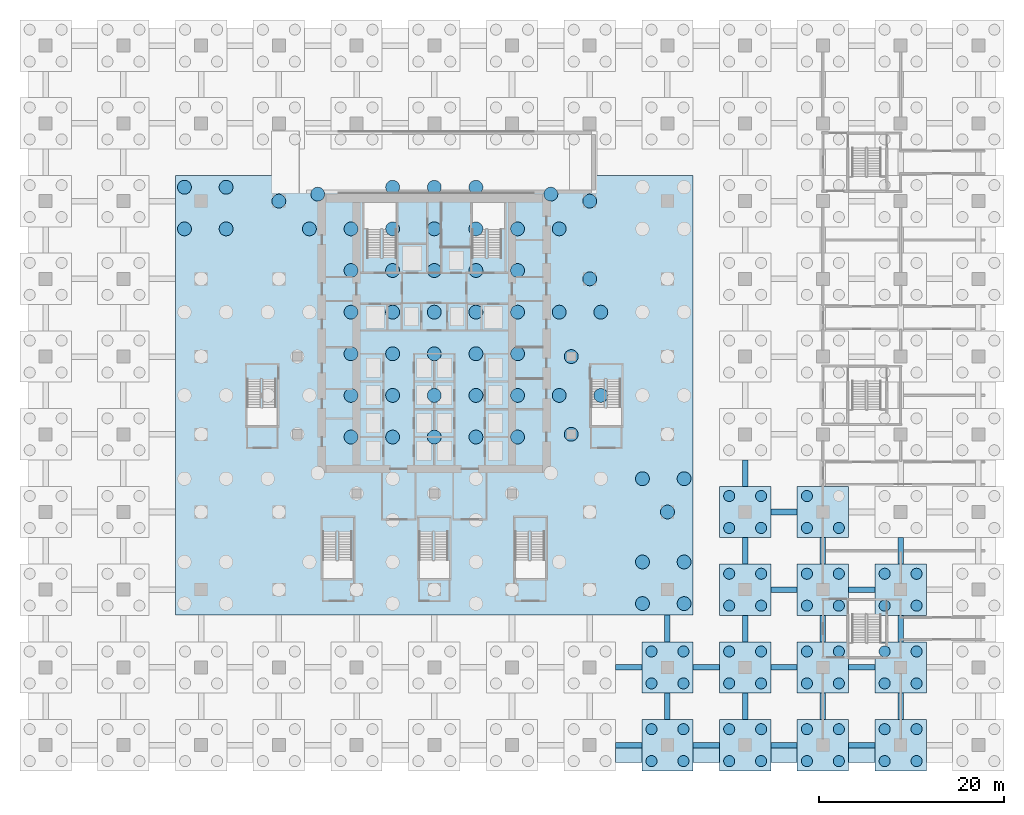
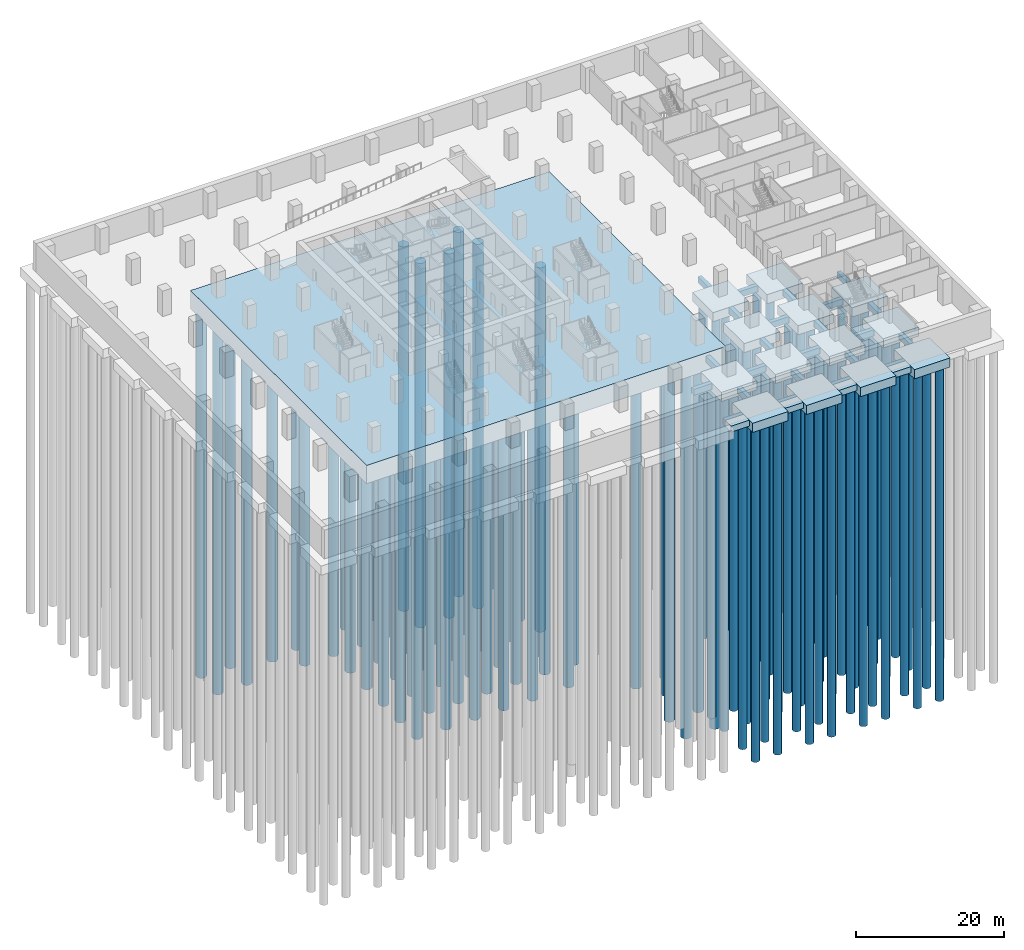
# One storey, part 3 of 22: 108 piles, 41 footings.
"""IFC4 building model written with IfcOpenShell, lengths in metres."""

from ifc_helpers import new_model, si_unit, direction, frame, origin, origin_2d, place, context, subcontext, project, spatial, polyline, circle, outline, extrude, material, layer, layer_set, type_object, element, save


model = new_model("IFC4")

# Units and contexts
model_context = context("Model", 3, precision=1e-05, world=origin(), true_north=direction((0.0, 1.0)))
body_context = subcontext(model_context, "Body", "Model", "MODEL_VIEW")
ifc_project = project(units=[si_unit("LENGTHUNIT", "METRE"), si_unit("AREAUNIT", "SQUARE_METRE"), si_unit("VOLUMEUNIT", "CUBIC_METRE"), si_unit("PLANEANGLEUNIT", "RADIAN"), si_unit("MASSUNIT", "GRAM", prefix="KILO")], contexts=[model_context])

# Site, building, storey
site_placement = place(None, origin())
site = spatial("IfcSite", under=ifc_project, at=site_placement, CompositionType="ELEMENT")
building_placement = place(site_placement, origin())
building = spatial("IfcBuilding", under=site, at=building_placement, Name="Vermilion Ogive Tower", CompositionType="ELEMENT")
storey_placement = place(building_placement, frame((0.0, 0.0, -8.39990234375)))
storey = spatial("IfcBuildingStorey", under=building, at=storey_placement, Name="B2", CompositionType="ELEMENT", Elevation=-8.39990234375)

# Piles
ifc_material_1 = material(Name="Concrete B45", Category="concrete")
pile_type_1 = type_object("IfcPileType", Name="Bored pile PC1 D1200", PredefinedType="BORED", material=ifc_material_1)
for number, where, z_axis, x_axis, name in (
    (1, (23.47509765625, -39.52490234375, -1.900146484375), (0.0, 0.0, -1.0), (1.0, 0.0, 0.0), "Cap pile 044-1"),
    (2, (26.925048828125, -39.52490234375, -1.900146484375), (0.0, 0.0, -1.0), (1.0, 0.0, 0.0), "Cap pile 044-2"),
    (3, (23.47509765625, -36.074951171875, -1.900146484375), (0.0, 0.0, -1.0), (1.0, 0.0, 0.0), "Cap pile 044-3"),
    (4, (26.925048828125, -36.074951171875, -1.900146484375), (0.0, 0.0, -1.0), (1.0, 0.0, 0.0), "Cap pile 044-4"),
    (5, (23.47509765625, -31.125, -1.900146484375), (0.0, 0.0, -1.0), (1.0, 0.0, 0.0), "Cap pile 045-1"),
    (6, (26.925048828125, -31.125, -1.900146484375), (0.0, 0.0, -1.0), (1.0, 0.0, 0.0), "Cap pile 045-2"),
    (7, (23.47509765625, -27.675048828125, -1.900146484375), (0.0, 0.0, -1.0), (1.0, 0.0, 0.0), "Cap pile 045-3"),
    (8, (26.925048828125, -27.675048828125, -1.900146484375), (0.0, 0.0, -1.0), (1.0, 0.0, 0.0), "Cap pile 045-4"),
    (9, (31.875, -39.52490234375, -1.900146484375), (0.0, 0.0, -1.0), (1.0, 0.0, 0.0), "Cap pile 048-1"),
    (10, (35.324951171875, -39.52490234375, -1.900146484375), (0.0, 0.0, -1.0), (1.0, 0.0, 0.0), "Cap pile 048-2"),
    (11, (31.875, -36.074951171875, -1.900146484375), (0.0, 0.0, -1.0), (1.0, 0.0, 0.0), "Cap pile 048-3"),
    (12, (35.324951171875, -36.074951171875, -1.900146484375), (0.0, 0.0, -1.0), (1.0, 0.0, 0.0), "Cap pile 048-4"),
    (13, (31.875, -31.125, -1.900146484375), (0.0, 0.0, -1.0), (1.0, 0.0, 0.0), "Cap pile 049-1"),
    (14, (35.324951171875, -31.125, -1.900146484375), (0.0, 0.0, -1.0), (1.0, 0.0, 0.0), "Cap pile 049-2"),
    (15, (31.875, -27.675048828125, -1.900146484375), (0.0, 0.0, -1.0), (1.0, 0.0, 0.0), "Cap pile 049-3"),
    (16, (35.324951171875, -27.675048828125, -1.900146484375), (0.0, 0.0, -1.0), (1.0, 0.0, 0.0), "Cap pile 049-4"),
    (17, (31.875, -22.72509765625, -1.900146484375), (0.0, 0.0, -1.0), (1.0, 0.0, 0.0), "Cap pile 050-1"),
    (18, (35.324951171875, -22.72509765625, -1.900146484375), (0.0, 0.0, -1.0), (1.0, 0.0, 0.0), "Cap pile 050-2"),
    (19, (31.875, -19.27490234375, -1.900146484375), (0.0, 0.0, -1.0), (1.0, 0.0, 0.0), "Cap pile 050-3"),
    (20, (35.324951171875, -19.27490234375, -1.900146484375), (0.0, 0.0, -1.0), (1.0, 0.0, 0.0), "Cap pile 050-4"),
    (21, (31.875, -14.324951171875, -1.900146484375), (0.0, 0.0, -1.0), (1.0, 0.0, 0.0), "Cap pile 051-1"),
    (22, (35.324951171875, -14.324951171875, -1.900146484375), (0.0, 0.0, -1.0), (1.0, 0.0, 0.0), "Cap pile 051-2"),
    (23, (31.875, -10.875, -1.900146484375), (0.0, 0.0, -1.0), (1.0, 0.0, 0.0), "Cap pile 051-3"),
    (24, (35.324951171875, -10.875, -1.900146484375), (0.0, 0.0, -1.0), (1.0, 0.0, 0.0), "Cap pile 051-4"),
    (25, (40.27490234375, -39.52490234375, -1.900146484375), (0.0, 0.0, -1.0), (1.0, 0.0, 0.0), "Cap pile 058-1"),
    (26, (43.72509765625, -39.52490234375, -1.900146484375), (0.0, 0.0, -1.0), (1.0, 0.0, 0.0), "Cap pile 058-2"),
    (27, (40.27490234375, -36.074951171875, -1.900146484375), (0.0, 0.0, -1.0), (1.0, 0.0, 0.0), "Cap pile 058-3"),
    (28, (43.72509765625, -36.074951171875, -1.900146484375), (0.0, 0.0, -1.0), (1.0, 0.0, 0.0), "Cap pile 058-4"),
    (29, (40.27490234375, -31.125, -1.900146484375), (0.0, 0.0, -1.0), (1.0, 0.0, 0.0), "Cap pile 059-1"),
    (30, (43.72509765625, -31.125, -1.900146484375), (0.0, 0.0, -1.0), (1.0, 0.0, 0.0), "Cap pile 059-2"),
    (31, (40.27490234375, -27.675048828125, -1.900146484375), (0.0, 0.0, -1.0), (1.0, 0.0, 0.0), "Cap pile 059-3"),
    (32, (43.72509765625, -27.675048828125, -1.900146484375), (0.0, 0.0, -1.0), (1.0, 0.0, 0.0), "Cap pile 059-4"),
    (33, (40.27490234375, -22.72509765625, -1.900146484375), (0.0, 0.0, -1.0), (1.0, 0.0, 0.0), "Cap pile 060-1"),
    (34, (43.72509765625, -22.72509765625, -1.900146484375), (0.0, 0.0, -1.0), (1.0, 0.0, 0.0), "Cap pile 060-2"),
    (35, (40.27490234375, -19.27490234375, -1.900146484375), (0.0, 0.0, -1.0), (1.0, 0.0, 0.0), "Cap pile 060-3"),
    (36, (43.72509765625, -19.27490234375, -1.900146484375), (0.0, 0.0, -1.0), (1.0, 0.0, 0.0), "Cap pile 060-4"),
    (37, (40.27490234375, -14.324951171875, -1.900146484375), (0.0, 0.0, -1.0), (1.0, 0.0, 0.0), "Cap pile 061-1"),
    (38, (43.72509765625, -14.324951171875, -1.900146484375), (0.0, 0.0, -1.0), (1.0, 0.0, 0.0), "Cap pile 061-2"),
    (39, (40.27490234375, -10.875, -1.900146484375), (0.0, 0.0, -1.0), (1.0, 0.0, 0.0), "Cap pile 061-3"),
    (40, (48.675048828125, -39.52490234375, -1.900146484375), (0.0, 0.0, -1.0), (1.0, 0.0, 0.0), "Cap pile 068-1"),
    (41, (52.125, -39.52490234375, -1.900146484375), (0.0, 0.0, -1.0), (1.0, 0.0, 0.0), "Cap pile 068-2"),
    (42, (48.675048828125, -36.074951171875, -1.900146484375), (0.0, 0.0, -1.0), (1.0, 0.0, 0.0), "Cap pile 068-3"),
    (43, (52.125, -36.074951171875, -1.900146484375), (0.0, 0.0, -1.0), (1.0, 0.0, 0.0), "Cap pile 068-4"),
    (44, (48.675048828125, -31.125, -1.900146484375), (0.0, 0.0, -1.0), (1.0, 0.0, 0.0), "Cap pile 069-1"),
    (45, (52.125, -31.125, -1.900146484375), (0.0, 0.0, -1.0), (1.0, 0.0, 0.0), "Cap pile 069-2"),
    (46, (48.675048828125, -27.675048828125, -1.900146484375), (0.0, 0.0, -1.0), (1.0, 0.0, 0.0), "Cap pile 069-3"),
    (47, (52.125, -27.675048828125, -1.900146484375), (0.0, 0.0, -1.0), (1.0, 0.0, 0.0), "Cap pile 069-4"),
    (48, (48.675048828125, -22.72509765625, -1.900146484375), (0.0, 0.0, -1.0), (1.0, 0.0, 0.0), "Cap pile 070-1"),
    (49, (52.125, -22.72509765625, -1.900146484375), (0.0, 0.0, -1.0), (1.0, 0.0, 0.0), "Cap pile 070-2"),
    (50, (48.675048828125, -19.27490234375, -1.900146484375), (0.0, 0.0, -1.0), (1.0, 0.0, 0.0), "Cap pile 070-3"),
    (51, (52.125, -19.27490234375, -1.900146484375), (0.0, 0.0, -1.0), (1.0, 0.0, 0.0), "Cap pile 070-4"),
):
    element("IfcPile", number, at=place(storey_placement, frame(where, z_axis=z_axis, x_axis=x_axis)), inside=storey, type_object=pile_type_1, Name=name, PredefinedType="BORED", context=body_context, shape_type="SweptSolid", body=[
        extrude(circle(Radius=0.60009765625, at=origin_2d()), origin(), (0.0, 0.0, 1.0), 55.0),
    ])
ifc_material_2 = material(Name="Concrete B45", Category="concrete")
pile_type_2 = type_object("IfcPileType", Name="Bored pile PR1 D1500", PredefinedType="BORED", material=ifc_material_2)
for number, where, z_axis, x_axis, name in (
    (52, (-27.0, 18.0, -2.900146484375), (0.0, 0.0, -1.0), (1.0, 0.0, 0.0), "Raft pile 006"),
    (53, (-27.0, 22.5, -2.900146484375), (0.0, 0.0, -1.0), (1.0, 0.0, 0.0), "Raft pile 007"),
    (54, (-22.5, 18.0, -2.900146484375), (0.0, 0.0, -1.0), (1.0, 0.0, 0.0), "Raft pile 017"),
    (55, (-22.5, 22.5, -2.900146484375), (0.0, 0.0, -1.0), (1.0, 0.0, 0.0), "Raft pile 018"),
    (56, (-16.800048828125, 21.0, -2.900146484375), (0.0, 0.0, -1.0), (1.0, 0.0, 0.0), "Raft pile 025"),
    (57, (-13.5, 18.0, -2.900146484375), (0.0, 0.0, -1.0), (1.0, 0.0, 0.0), "Raft pile 031"),
    (58, (-12.60009765625, 21.75, -2.900146484375), (0.0, 0.0, -1.0), (1.0, 0.0, 0.0), "Raft pile 033"),
    (59, (-9.0, -4.5, -2.900146484375), (0.0, 0.0, -1.0), (1.0, 0.0, 0.0), "Raft pile 034"),
    (60, (-9.0, 0.0, -2.900146484375), (0.0, 0.0, -1.0), (1.0, 0.0, 0.0), "Raft pile 035"),
    (61, (-9.0, 4.5, -2.900146484375), (0.0, 0.0, -1.0), (1.0, 0.0, 0.0), "Raft pile 036"),
    (62, (-9.0, 9.0, -2.900146484375), (0.0, 0.0, -1.0), (1.0, 0.0, 0.0), "Raft pile 037"),
    (63, (-9.0, 13.5, -2.900146484375), (0.0, 0.0, -1.0), (1.0, 0.0, 0.0), "Raft pile 038"),
    (64, (-9.0, 18.0, -2.900146484375), (0.0, 0.0, -1.0), (1.0, 0.0, 0.0), "Raft pile 039"),
    (65, (-4.5, -4.5, -2.900146484375), (0.0, 0.0, -1.0), (1.0, 0.0, 0.0), "Raft pile 046"),
    (66, (-4.5, 0.0, -2.900146484375), (0.0, 0.0, -1.0), (1.0, 0.0, 0.0), "Raft pile 047"),
    (67, (-4.5, 4.5, -2.900146484375), (0.0, 0.0, -1.0), (1.0, 0.0, 0.0), "Raft pile 048"),
    (68, (-4.5, 9.0, -2.900146484375), (0.0, 0.0, -1.0), (1.0, 0.0, 0.0), "Raft pile 049"),
    (69, (-4.5, 13.5, -2.900146484375), (0.0, 0.0, -1.0), (1.0, 0.0, 0.0), "Raft pile 050"),
    (70, (-4.5, 18.0, -2.900146484375), (0.0, 0.0, -1.0), (1.0, 0.0, 0.0), "Raft pile 051"),
    (71, (-4.5, 22.5, -2.900146484375), (0.0, 0.0, -1.0), (1.0, 0.0, 0.0), "Raft pile 052"),
    (72, (0.0, -4.5, -2.900146484375), (0.0, 0.0, -1.0), (1.0, 0.0, 0.0), "Raft pile 055"),
    (73, (0.0, 0.0, -2.900146484375), (0.0, 0.0, -1.0), (1.0, 0.0, 0.0), "Raft pile 056"),
    (74, (0.0, 4.5, -2.900146484375), (0.0, 0.0, -1.0), (1.0, 0.0, 0.0), "Raft pile 057"),
    (75, (0.0, 9.0, -2.900146484375), (0.0, 0.0, -1.0), (1.0, 0.0, 0.0), "Raft pile 058"),
    (76, (0.0, 13.5, -2.900146484375), (0.0, 0.0, -1.0), (1.0, 0.0, 0.0), "Raft pile 059"),
    (77, (0.0, 18.0, -2.900146484375), (0.0, 0.0, -1.0), (1.0, 0.0, 0.0), "Raft pile 060"),
    (78, (0.0, 22.5, -2.900146484375), (0.0, 0.0, -1.0), (1.0, 0.0, 0.0), "Raft pile 061"),
    (79, (4.5, -4.5, -2.900146484375), (0.0, 0.0, -1.0), (1.0, 0.0, 0.0), "Raft pile 066"),
    (80, (4.5, 0.0, -2.900146484375), (0.0, 0.0, -1.0), (1.0, 0.0, 0.0), "Raft pile 067"),
    (81, (4.5, 4.5, -2.900146484375), (0.0, 0.0, -1.0), (1.0, 0.0, 0.0), "Raft pile 068"),
    (82, (4.5, 9.0, -2.900146484375), (0.0, 0.0, -1.0), (1.0, 0.0, 0.0), "Raft pile 069"),
    (83, (4.5, 13.5, -2.900146484375), (0.0, 0.0, -1.0), (1.0, 0.0, 0.0), "Raft pile 070"),
    (84, (4.5, 18.0, -2.900146484375), (0.0, 0.0, -1.0), (1.0, 0.0, 0.0), "Raft pile 071"),
    (85, (4.5, 22.5, -2.900146484375), (0.0, 0.0, -1.0), (1.0, 0.0, 0.0), "Raft pile 072"),
    (86, (9.0, -4.5, -2.900146484375), (0.0, 0.0, -1.0), (1.0, 0.0, 0.0), "Raft pile 075"),
    (87, (9.0, 0.0, -2.900146484375), (0.0, 0.0, -1.0), (1.0, 0.0, 0.0), "Raft pile 076"),
    (88, (9.0, 4.5, -2.900146484375), (0.0, 0.0, -1.0), (1.0, 0.0, 0.0), "Raft pile 077"),
    (89, (9.0, 9.0, -2.900146484375), (0.0, 0.0, -1.0), (1.0, 0.0, 0.0), "Raft pile 078"),
    (90, (9.0, 13.5, -2.900146484375), (0.0, 0.0, -1.0), (1.0, 0.0, 0.0), "Raft pile 079"),
    (91, (9.0, 18.0, -2.900146484375), (0.0, 0.0, -1.0), (1.0, 0.0, 0.0), "Raft pile 080"),
    (92, (12.60009765625, 21.75, -2.900146484375), (0.0, 0.0, -1.0), (1.0, 0.0, 0.0), "Raft pile 082"),
    (93, (13.5, 0.0, -2.900146484375), (0.0, 0.0, -1.0), (1.0, 0.0, 0.0), "Raft pile 084"),
    (94, (13.5, 9.0, -2.900146484375), (0.0, 0.0, -1.0), (1.0, 0.0, 0.0), "Raft pile 085"),
    (95, (13.5, 18.0, -2.900146484375), (0.0, 0.0, -1.0), (1.0, 0.0, 0.0), "Raft pile 086"),
    (96, (14.800048828125, -4.199951171875, -2.900146484375), (0.0, 0.0, -1.0), (1.0, 0.0, 0.0), "Raft pile 087"),
    (97, (14.800048828125, 4.199951171875, -2.900146484375), (0.0, 0.0, -1.0), (1.0, 0.0, 0.0), "Raft pile 088"),
    (98, (16.800048828125, 12.60009765625, -2.900146484375), (0.0, 0.0, -1.0), (1.0, 0.0, 0.0), "Raft pile 091"),
    (99, (16.800048828125, 21.0, -2.900146484375), (0.0, 0.0, -1.0), (1.0, 0.0, 0.0), "Raft pile 092"),
    (100, (18.0, 0.0, -2.900146484375), (0.0, 0.0, -1.0), (1.0, 0.0, 0.0), "Raft pile 094"),
    (101, (18.0, 9.0, -2.900146484375), (0.0, 0.0, -1.0), (1.0, 0.0, 0.0), "Raft pile 095"),
    (102, (22.5, -22.5, -2.900146484375), (0.0, 0.0, -1.0), (1.0, 0.0, 0.0), "Raft pile 096"),
    (103, (22.5, -18.0, -2.900146484375), (0.0, 0.0, -1.0), (1.0, 0.0, 0.0), "Raft pile 097"),
    (104, (22.5, -9.0, -2.900146484375), (0.0, 0.0, -1.0), (1.0, 0.0, 0.0), "Raft pile 098"),
    (105, (25.199951171875, -12.60009765625, -2.900146484375), (0.0, 0.0, -1.0), (1.0, 0.0, 0.0), "Raft pile 103"),
    (106, (27.0, -22.5, -2.900146484375), (0.0, 0.0, -1.0), (1.0, 0.0, 0.0), "Raft pile 107"),
    (107, (27.0, -18.0, -2.900146484375), (0.0, 0.0, -1.0), (1.0, 0.0, 0.0), "Raft pile 108"),
    (108, (27.0, -9.0, -2.900146484375), (0.0, 0.0, -1.0), (1.0, 0.0, 0.0), "Raft pile 109"),
):
    element("IfcPile", number, at=place(storey_placement, frame(where, z_axis=z_axis, x_axis=x_axis)), inside=storey, type_object=pile_type_2, Name=name, PredefinedType="BORED", context=body_context, shape_type="SweptSolid", body=[
        extrude(circle(Radius=0.75, at=origin_2d()), origin(), (0.0, 0.0, 1.0), 60.0),
    ])

# Footings
ifc_material_3 = material(Name="Concrete B50", Category="concrete")
footing_type_1 = type_object("IfcFootingType", Name="Ground beam GB1", PredefinedType="FOOTING_BEAM", material=ifc_material_3)
footing_1_placement = place(storey_placement, frame((0.0, 0.0, -1.5)))
element("IfcFooting", 109, at=footing_1_placement, inside=storey, type_object=footing_type_1, Name="Ground beam 074", PredefinedType="FOOTING_BEAM", context=body_context, shape_type="SweptSolid", body=[
    extrude(outline(polyline([(22.425048828125, -38.10009765625), (22.425048828125, -37.5), (19.574951171875, -37.5), (19.574951171875, -38.10009765625), (22.425048828125, -38.10009765625)])), origin(), (0.0, 0.0, 1.0), 1.0),
])
footing_2_placement = place(storey_placement, frame((0.0, 0.0, -1.5)))
element("IfcFooting", 110, at=footing_2_placement, inside=storey, type_object=footing_type_1, Name="Ground beam 076", PredefinedType="FOOTING_BEAM", context=body_context, shape_type="SweptSolid", body=[
    extrude(outline(polyline([(22.425048828125, -29.699951171875), (22.425048828125, -29.10009765625), (19.574951171875, -29.10009765625), (19.574951171875, -29.699951171875), (22.425048828125, -29.699951171875)])), origin(), (0.0, 0.0, 1.0), 1.0),
])
footing_3_placement = place(storey_placement, frame((0.0, 0.0, -1.5)))
element("IfcFooting", 111, at=footing_3_placement, inside=storey, type_object=footing_type_1, Name="Ground beam 081", PredefinedType="FOOTING_BEAM", context=body_context, shape_type="SweptSolid", body=[
    extrude(outline(polyline([(30.824951171875, -38.10009765625), (30.824951171875, -37.5), (27.97509765625, -37.5), (27.97509765625, -38.10009765625), (30.824951171875, -38.10009765625)])), origin(), (0.0, 0.0, 1.0), 1.0),
])
footing_4_placement = place(storey_placement, frame((0.0, 0.0, -1.5)))
element("IfcFooting", 112, at=footing_4_placement, inside=storey, type_object=footing_type_1, Name="Ground beam 082", PredefinedType="FOOTING_BEAM", context=body_context, shape_type="SweptSolid", body=[
    extrude(outline(polyline([(25.5, -35.02490234375), (25.5, -32.175048828125), (24.89990234375, -32.175048828125), (24.89990234375, -35.02490234375), (25.5, -35.02490234375)])), origin(), (0.0, 0.0, 1.0), 1.0),
])
footing_5_placement = place(storey_placement, frame((0.0, 0.0, -1.5)))
element("IfcFooting", 113, at=footing_5_placement, inside=storey, type_object=footing_type_1, Name="Ground beam 083", PredefinedType="FOOTING_BEAM", context=body_context, shape_type="SweptSolid", body=[
    extrude(outline(polyline([(30.824951171875, -29.699951171875), (30.824951171875, -29.10009765625), (27.97509765625, -29.10009765625), (27.97509765625, -29.699951171875), (30.824951171875, -29.699951171875)])), origin(), (0.0, 0.0, 1.0), 1.0),
])
footing_6_placement = place(storey_placement, frame((0.0, 0.0, -1.5)))
element("IfcFooting", 114, at=footing_6_placement, inside=storey, type_object=footing_type_1, Name="Ground beam 084", PredefinedType="FOOTING_BEAM", context=body_context, shape_type="SweptSolid", body=[
    extrude(outline(polyline([(25.5, -26.625), (25.5, -23.75), (24.89990234375, -23.75), (24.89990234375, -26.625), (25.5, -26.625)])), origin(), (0.0, 0.0, 1.0), 1.0),
])
footing_7_placement = place(storey_placement, frame((0.0, 0.0, -1.5)))
element("IfcFooting", 115, at=footing_7_placement, inside=storey, type_object=footing_type_1, Name="Ground beam 088", PredefinedType="FOOTING_BEAM", context=body_context, shape_type="SweptSolid", body=[
    extrude(outline(polyline([(39.22509765625, -38.10009765625), (39.22509765625, -37.5), (36.375, -37.5), (36.375, -38.10009765625), (39.22509765625, -38.10009765625)])), origin(), (0.0, 0.0, 1.0), 1.0),
])
footing_8_placement = place(storey_placement, frame((0.0, 0.0, -1.5)))
element("IfcFooting", 116, at=footing_8_placement, inside=storey, type_object=footing_type_1, Name="Ground beam 089", PredefinedType="FOOTING_BEAM", context=body_context, shape_type="SweptSolid", body=[
    extrude(outline(polyline([(33.89990234375, -35.02490234375), (33.89990234375, -32.175048828125), (33.300048828125, -32.175048828125), (33.300048828125, -35.02490234375), (33.89990234375, -35.02490234375)])), origin(), (0.0, 0.0, 1.0), 1.0),
])
footing_9_placement = place(storey_placement, frame((0.0, 0.0, -1.5)))
element("IfcFooting", 117, at=footing_9_placement, inside=storey, type_object=footing_type_1, Name="Ground beam 090", PredefinedType="FOOTING_BEAM", context=body_context, shape_type="SweptSolid", body=[
    extrude(outline(polyline([(39.22509765625, -29.699951171875), (39.22509765625, -29.10009765625), (36.375, -29.10009765625), (36.375, -29.699951171875), (39.22509765625, -29.699951171875)])), origin(), (0.0, 0.0, 1.0), 1.0),
])
footing_10_placement = place(storey_placement, frame((0.0, 0.0, -1.5)))
element("IfcFooting", 118, at=footing_10_placement, inside=storey, type_object=footing_type_1, Name="Ground beam 091", PredefinedType="FOOTING_BEAM", context=body_context, shape_type="SweptSolid", body=[
    extrude(outline(polyline([(33.89990234375, -26.625), (33.89990234375, -23.77490234375), (33.300048828125, -23.77490234375), (33.300048828125, -26.625), (33.89990234375, -26.625)])), origin(), (0.0, 0.0, 1.0), 1.0),
])
footing_11_placement = place(storey_placement, frame((0.0, 0.0, -1.5)))
element("IfcFooting", 119, at=footing_11_placement, inside=storey, type_object=footing_type_1, Name="Ground beam 092", PredefinedType="FOOTING_BEAM", context=body_context, shape_type="SweptSolid", body=[
    extrude(outline(polyline([(39.22509765625, -21.300048828125), (39.22509765625, -20.699951171875), (36.375, -20.699951171875), (36.375, -21.300048828125), (39.22509765625, -21.300048828125)])), origin(), (0.0, 0.0, 1.0), 1.0),
])
footing_12_placement = place(storey_placement, frame((0.0, 0.0, -1.5)))
element("IfcFooting", 120, at=footing_12_placement, inside=storey, type_object=footing_type_1, Name="Ground beam 093", PredefinedType="FOOTING_BEAM", context=body_context, shape_type="SweptSolid", body=[
    extrude(outline(polyline([(33.89990234375, -18.22509765625), (33.89990234375, -15.375), (33.300048828125, -15.375), (33.300048828125, -18.22509765625), (33.89990234375, -18.22509765625)])), origin(), (0.0, 0.0, 1.0), 1.0),
])
footing_13_placement = place(storey_placement, frame((0.0, 0.0, -1.5)))
element("IfcFooting", 121, at=footing_13_placement, inside=storey, type_object=footing_type_1, Name="Ground beam 094", PredefinedType="FOOTING_BEAM", context=body_context, shape_type="SweptSolid", body=[
    extrude(outline(polyline([(39.22509765625, -12.89990234375), (39.22509765625, -12.300048828125), (36.375, -12.300048828125), (36.375, -12.89990234375), (39.22509765625, -12.89990234375)])), origin(), (0.0, 0.0, 1.0), 1.0),
])
footing_14_placement = place(storey_placement, frame((0.0, 0.0, -1.5)))
element("IfcFooting", 122, at=footing_14_placement, inside=storey, type_object=footing_type_1, Name="Ground beam 095", PredefinedType="FOOTING_BEAM", context=body_context, shape_type="SweptSolid", body=[
    extrude(outline(polyline([(33.89990234375, -9.824951171875), (33.89990234375, -6.97509765625), (33.300048828125, -6.97509765625), (33.300048828125, -9.824951171875), (33.89990234375, -9.824951171875)])), origin(), (0.0, 0.0, 1.0), 1.0),
])
footing_15_placement = place(storey_placement, frame((0.0, 0.0, -1.5)))
element("IfcFooting", 123, at=footing_15_placement, inside=storey, type_object=footing_type_1, Name="Ground beam 107", PredefinedType="FOOTING_BEAM", context=body_context, shape_type="SweptSolid", body=[
    extrude(outline(polyline([(47.625, -38.10009765625), (47.625, -37.5), (44.77490234375, -37.5), (44.77490234375, -38.10009765625), (47.625, -38.10009765625)])), origin(), (0.0, 0.0, 1.0), 1.0),
])
footing_16_placement = place(storey_placement, frame((0.0, 0.0, -1.5)))
element("IfcFooting", 124, at=footing_16_placement, inside=storey, type_object=footing_type_1, Name="Ground beam 108", PredefinedType="FOOTING_BEAM", context=body_context, shape_type="SweptSolid", body=[
    extrude(outline(polyline([(42.300048828125, -35.02490234375), (42.300048828125, -32.175048828125), (41.699951171875, -32.175048828125), (41.699951171875, -35.02490234375), (42.300048828125, -35.02490234375)])), origin(), (0.0, 0.0, 1.0), 1.0),
])
footing_17_placement = place(storey_placement, frame((0.0, 0.0, -1.5)))
element("IfcFooting", 125, at=footing_17_placement, inside=storey, type_object=footing_type_1, Name="Ground beam 109", PredefinedType="FOOTING_BEAM", context=body_context, shape_type="SweptSolid", body=[
    extrude(outline(polyline([(47.625, -29.699951171875), (47.625, -29.10009765625), (44.77490234375, -29.10009765625), (44.77490234375, -29.699951171875), (47.625, -29.699951171875)])), origin(), (0.0, 0.0, 1.0), 1.0),
])
footing_18_placement = place(storey_placement, frame((0.0, 0.0, -1.5)))
element("IfcFooting", 126, at=footing_18_placement, inside=storey, type_object=footing_type_1, Name="Ground beam 110", PredefinedType="FOOTING_BEAM", context=body_context, shape_type="SweptSolid", body=[
    extrude(outline(polyline([(42.300048828125, -26.625), (42.300048828125, -23.77490234375), (41.699951171875, -23.77490234375), (41.699951171875, -26.625), (42.300048828125, -26.625)])), origin(), (0.0, 0.0, 1.0), 1.0),
])
footing_19_placement = place(storey_placement, frame((0.0, 0.0, -1.5)))
element("IfcFooting", 127, at=footing_19_placement, inside=storey, type_object=footing_type_1, Name="Ground beam 111", PredefinedType="FOOTING_BEAM", context=body_context, shape_type="SweptSolid", body=[
    extrude(outline(polyline([(47.625, -21.300048828125), (47.625, -20.699951171875), (44.77490234375, -20.699951171875), (44.77490234375, -21.300048828125), (47.625, -21.300048828125)])), origin(), (0.0, 0.0, 1.0), 1.0),
])
footing_20_placement = place(storey_placement, frame((0.0, 0.0, -1.5)))
element("IfcFooting", 128, at=footing_20_placement, inside=storey, type_object=footing_type_1, Name="Ground beam 112", PredefinedType="FOOTING_BEAM", context=body_context, shape_type="SweptSolid", body=[
    extrude(outline(polyline([(42.300048828125, -18.22509765625), (42.300048828125, -15.375), (41.699951171875, -15.375), (41.699951171875, -18.22509765625), (42.300048828125, -18.22509765625)])), origin(), (0.0, 0.0, 1.0), 1.0),
])
footing_21_placement = place(storey_placement, frame((0.0, 0.0, -1.5)))
element("IfcFooting", 129, at=footing_21_placement, inside=storey, type_object=footing_type_1, Name="Ground beam 127", PredefinedType="FOOTING_BEAM", context=body_context, shape_type="SweptSolid", body=[
    extrude(outline(polyline([(50.699951171875, -35.02490234375), (50.699951171875, -32.175048828125), (50.10009765625, -32.175048828125), (50.10009765625, -35.02490234375), (50.699951171875, -35.02490234375)])), origin(), (0.0, 0.0, 1.0), 1.0),
])
footing_22_placement = place(storey_placement, frame((0.0, 0.0, -1.5)))
element("IfcFooting", 130, at=footing_22_placement, inside=storey, type_object=footing_type_1, Name="Ground beam 129", PredefinedType="FOOTING_BEAM", context=body_context, shape_type="SweptSolid", body=[
    extrude(outline(polyline([(50.699951171875, -26.625), (50.699951171875, -23.77490234375), (50.10009765625, -23.77490234375), (50.10009765625, -26.625), (50.699951171875, -26.625)])), origin(), (0.0, 0.0, 1.0), 1.0),
])
footing_23_placement = place(storey_placement, frame((0.0, 0.0, -1.5)))
element("IfcFooting", 131, at=footing_23_placement, inside=storey, type_object=footing_type_1, Name="Ground beam 131", PredefinedType="FOOTING_BEAM", context=body_context, shape_type="SweptSolid", body=[
    extrude(outline(polyline([(50.699951171875, -18.22509765625), (50.699951171875, -15.375), (50.10009765625, -15.375), (50.10009765625, -18.22509765625), (50.699951171875, -18.22509765625)])), origin(), (0.0, 0.0, 1.0), 1.0),
])
ifc_material_4 = material(Name="Concrete B50", Category="concrete")
ifc_layer_1 = layer(ifc_material_4, 1.5)
ifc_layer_set_1 = layer_set([ifc_layer_1], Name="Pile cap PC1")
footing_type_2 = type_object("IfcFootingType", Name="Pile cap PC1", PredefinedType="PILE_CAP", material=ifc_layer_set_1)
footing_24_placement = place(storey_placement, frame((0.0, 0.0, -2.0)))
element("IfcFooting", 132, at=footing_24_placement, inside=storey, type_object=footing_type_2, Name="Pile cap 044", PredefinedType="PILE_CAP", context=body_context, shape_type="SweptSolid", body=[
    extrude(outline(polyline([(22.425048828125, -40.574951171875), (27.97509765625, -40.574951171875), (27.97509765625, -35.02490234375), (22.425048828125, -35.02490234375), (22.425048828125, -40.574951171875)])), origin(), (0.0, 0.0, 1.0), 1.5),
])
footing_25_placement = place(storey_placement, frame((0.0, 0.0, -2.0)))
element("IfcFooting", 133, at=footing_25_placement, inside=storey, type_object=footing_type_2, Name="Pile cap 045", PredefinedType="PILE_CAP", context=body_context, shape_type="SweptSolid", body=[
    extrude(outline(polyline([(22.425048828125, -32.175048828125), (27.97509765625, -32.175048828125), (27.97509765625, -26.625), (22.425048828125, -26.625), (22.425048828125, -32.175048828125)])), origin(), (0.0, 0.0, 1.0), 1.5),
])
footing_26_placement = place(storey_placement, frame((0.0, 0.0, -2.0)))
element("IfcFooting", 134, at=footing_26_placement, inside=storey, type_object=footing_type_2, Name="Pile cap 048", PredefinedType="PILE_CAP", context=body_context, shape_type="SweptSolid", body=[
    extrude(outline(polyline([(30.824951171875, -40.574951171875), (36.375, -40.574951171875), (36.375, -35.02490234375), (30.824951171875, -35.02490234375), (30.824951171875, -40.574951171875)])), origin(), (0.0, 0.0, 1.0), 1.5),
])
footing_27_placement = place(storey_placement, frame((0.0, 0.0, -2.0)))
element("IfcFooting", 135, at=footing_27_placement, inside=storey, type_object=footing_type_2, Name="Pile cap 049", PredefinedType="PILE_CAP", context=body_context, shape_type="SweptSolid", body=[
    extrude(outline(polyline([(30.824951171875, -32.175048828125), (36.375, -32.175048828125), (36.375, -26.625), (30.824951171875, -26.625), (30.824951171875, -32.175048828125)])), origin(), (0.0, 0.0, 1.0), 1.5),
])
footing_28_placement = place(storey_placement, frame((0.0, 0.0, -2.0)))
element("IfcFooting", 136, at=footing_28_placement, inside=storey, type_object=footing_type_2, Name="Pile cap 050", PredefinedType="PILE_CAP", context=body_context, shape_type="SweptSolid", body=[
    extrude(outline(polyline([(30.824951171875, -23.77490234375), (36.375, -23.77490234375), (36.375, -18.22509765625), (30.824951171875, -18.22509765625), (30.824951171875, -23.77490234375)])), origin(), (0.0, 0.0, 1.0), 1.5),
])
footing_29_placement = place(storey_placement, frame((0.0, 0.0, -2.0)))
element("IfcFooting", 137, at=footing_29_placement, inside=storey, type_object=footing_type_2, Name="Pile cap 051", PredefinedType="PILE_CAP", context=body_context, shape_type="SweptSolid", body=[
    extrude(outline(polyline([(30.824951171875, -15.375), (36.375, -15.375), (36.375, -9.824951171875), (30.824951171875, -9.824951171875), (30.824951171875, -15.375)])), origin(), (0.0, 0.0, 1.0), 1.5),
])
footing_30_placement = place(storey_placement, frame((0.0, 0.0, -2.0)))
element("IfcFooting", 138, at=footing_30_placement, inside=storey, type_object=footing_type_2, Name="Pile cap 058", PredefinedType="PILE_CAP", context=body_context, shape_type="SweptSolid", body=[
    extrude(outline(polyline([(39.22509765625, -40.574951171875), (44.77490234375, -40.574951171875), (44.77490234375, -35.02490234375), (39.22509765625, -35.02490234375), (39.22509765625, -40.574951171875)])), origin(), (0.0, 0.0, 1.0), 1.5),
])
footing_31_placement = place(storey_placement, frame((0.0, 0.0, -2.0)))
element("IfcFooting", 139, at=footing_31_placement, inside=storey, type_object=footing_type_2, Name="Pile cap 059", PredefinedType="PILE_CAP", context=body_context, shape_type="SweptSolid", body=[
    extrude(outline(polyline([(39.22509765625, -32.175048828125), (44.77490234375, -32.175048828125), (44.77490234375, -26.625), (39.22509765625, -26.625), (39.22509765625, -32.175048828125)])), origin(), (0.0, 0.0, 1.0), 1.5),
])
footing_32_placement = place(storey_placement, frame((0.0, 0.0, -2.0)))
element("IfcFooting", 140, at=footing_32_placement, inside=storey, type_object=footing_type_2, Name="Pile cap 060", PredefinedType="PILE_CAP", context=body_context, shape_type="SweptSolid", body=[
    extrude(outline(polyline([(39.22509765625, -23.77490234375), (44.77490234375, -23.77490234375), (44.77490234375, -18.22509765625), (39.22509765625, -18.22509765625), (39.22509765625, -23.77490234375)])), origin(), (0.0, 0.0, 1.0), 1.5),
])
footing_33_placement = place(storey_placement, frame((0.0, 0.0, -2.0)))
element("IfcFooting", 141, at=footing_33_placement, inside=storey, type_object=footing_type_2, Name="Pile cap 061", PredefinedType="PILE_CAP", context=body_context, shape_type="SweptSolid", body=[
    extrude(outline(polyline([(39.22509765625, -15.375), (44.77490234375, -15.375), (44.77490234375, -9.824951171875), (39.22509765625, -9.824951171875), (39.22509765625, -15.375)])), origin(), (0.0, 0.0, 1.0), 1.5),
])
footing_34_placement = place(storey_placement, frame((0.0, 0.0, -2.0)))
element("IfcFooting", 142, at=footing_34_placement, inside=storey, type_object=footing_type_2, Name="Pile cap 068", PredefinedType="PILE_CAP", context=body_context, shape_type="SweptSolid", body=[
    extrude(outline(polyline([(47.625, -40.574951171875), (53.175048828125, -40.574951171875), (53.175048828125, -35.02490234375), (47.625, -35.02490234375), (47.625, -40.574951171875)])), origin(), (0.0, 0.0, 1.0), 1.5),
])
footing_35_placement = place(storey_placement, frame((0.0, 0.0, -2.0)))
element("IfcFooting", 143, at=footing_35_placement, inside=storey, type_object=footing_type_2, Name="Pile cap 069", PredefinedType="PILE_CAP", context=body_context, shape_type="SweptSolid", body=[
    extrude(outline(polyline([(47.625, -32.175048828125), (53.175048828125, -32.175048828125), (53.175048828125, -26.625), (47.625, -26.625), (47.625, -32.175048828125)])), origin(), (0.0, 0.0, 1.0), 1.5),
])
footing_36_placement = place(storey_placement, frame((0.0, 0.0, -2.0)))
element("IfcFooting", 144, at=footing_36_placement, inside=storey, type_object=footing_type_2, Name="Pile cap 070", PredefinedType="PILE_CAP", context=body_context, shape_type="SweptSolid", body=[
    extrude(outline(polyline([(47.625, -23.77490234375), (53.175048828125, -23.77490234375), (53.175048828125, -18.22509765625), (47.625, -18.22509765625), (47.625, -23.77490234375)])), origin(), (0.0, 0.0, 1.0), 1.5),
])
ifc_material_5 = material(Name="Concrete B50", Category="concrete")
ifc_layer_2 = layer(ifc_material_5, 3.0)
ifc_layer_set_2 = layer_set([ifc_layer_2], Name="Tower raft RF1")
footing_type_3 = type_object("IfcFootingType", Name="Tower raft RF1", PredefinedType="PILE_CAP", material=ifc_layer_set_2)
footing_37_placement = place(storey_placement, frame((0.0, 0.0, -3.0)))
element("IfcFooting", 145, at=footing_37_placement, inside=storey, type_object=footing_type_3, Name="Tower raft", PredefinedType="PILE_CAP", context=body_context, shape_type="SweptSolid", body=[
    extrude(outline(polyline([(-27.949951171875, -23.75), (27.949951171875, -23.75), (27.949951171875, 23.75), (-27.949951171875, 23.75), (-27.949951171875, -23.75)])), origin(), (0.0, 0.0, 1.0), 3.0),
])
ifc_material_6 = material(Name="Concrete B50", Category="concrete")
ifc_layer_3 = layer(ifc_material_6, 1.0)
ifc_layer_set_3 = layer_set([ifc_layer_3], Name="Wall footing WF1")
footing_type_4 = type_object("IfcFootingType", Name="Wall footing WF1", PredefinedType="STRIP_FOOTING", material=ifc_layer_set_3)
footing_38_placement = place(storey_placement, frame((0.0, 0.0, -1.5)))
element("IfcFooting", 146, at=footing_38_placement, inside=storey, type_object=footing_type_4, Name="Wall footing 032", PredefinedType="STRIP_FOOTING", context=body_context, shape_type="SweptSolid", body=[
    extrude(outline(polyline([(44.77490234375, -38.10009765625), (44.77490234375, -39.699951171875), (47.625, -39.699951171875), (47.625, -38.10009765625), (44.77490234375, -38.10009765625)])), origin(), (0.0, 0.0, 1.0), 1.0),
])
footing_39_placement = place(storey_placement, frame((0.0, 0.0, -1.5)))
element("IfcFooting", 147, at=footing_39_placement, inside=storey, type_object=footing_type_4, Name="Wall footing 033", PredefinedType="STRIP_FOOTING", context=body_context, shape_type="SweptSolid", body=[
    extrude(outline(polyline([(36.375, -38.10009765625), (36.375, -39.699951171875), (39.22509765625, -39.699951171875), (39.22509765625, -38.10009765625), (36.375, -38.10009765625)])), origin(), (0.0, 0.0, 1.0), 1.0),
])
footing_40_placement = place(storey_placement, frame((0.0, 0.0, -1.5)))
element("IfcFooting", 148, at=footing_40_placement, inside=storey, type_object=footing_type_4, Name="Wall footing 034", PredefinedType="STRIP_FOOTING", context=body_context, shape_type="SweptSolid", body=[
    extrude(outline(polyline([(27.97509765625, -38.10009765625), (27.97509765625, -39.699951171875), (30.824951171875, -39.699951171875), (30.824951171875, -38.10009765625), (27.97509765625, -38.10009765625)])), origin(), (0.0, 0.0, 1.0), 1.0),
])
footing_41_placement = place(storey_placement, frame((0.0, 0.0, -1.5)))
element("IfcFooting", 149, at=footing_41_placement, inside=storey, type_object=footing_type_4, Name="Wall footing 035", PredefinedType="STRIP_FOOTING", context=body_context, shape_type="SweptSolid", body=[
    extrude(outline(polyline([(19.574951171875, -38.10009765625), (19.574951171875, -39.699951171875), (22.425048828125, -39.699951171875), (22.425048828125, -38.10009765625), (19.574951171875, -38.10009765625)])), origin(), (0.0, 0.0, 1.0), 1.0),
])

save(model, "model.ifc")
